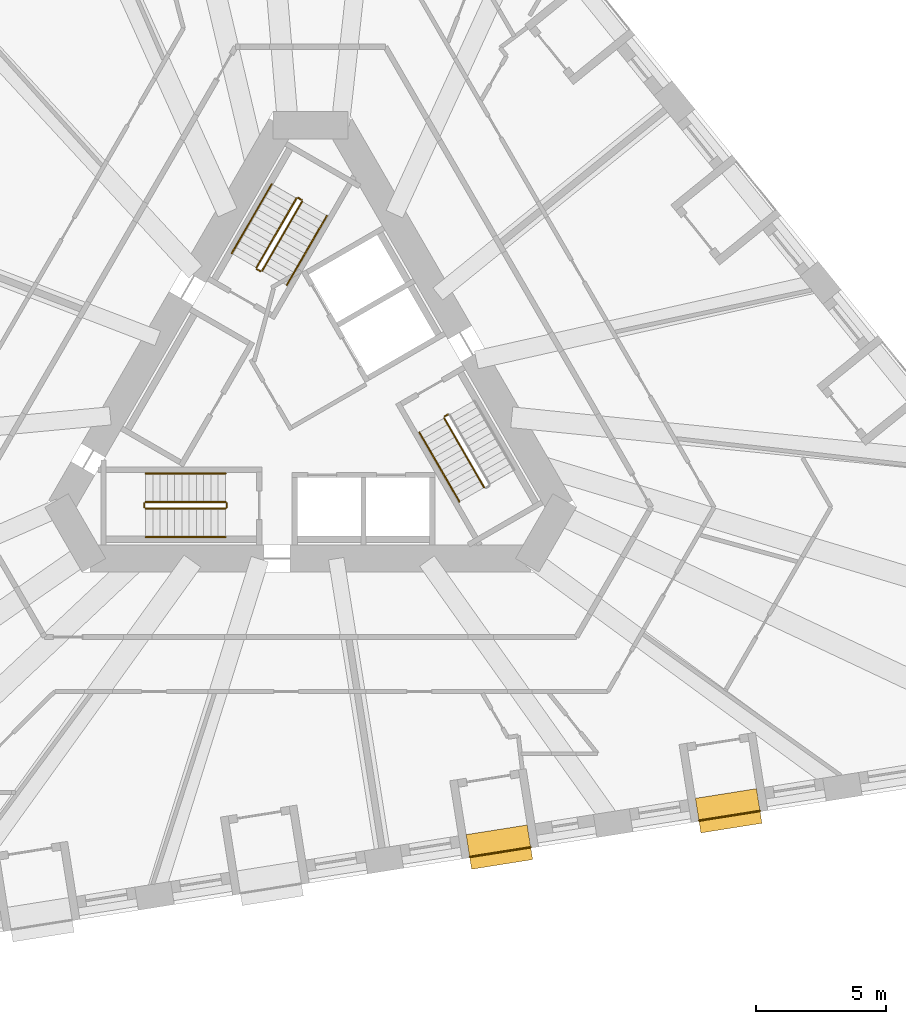
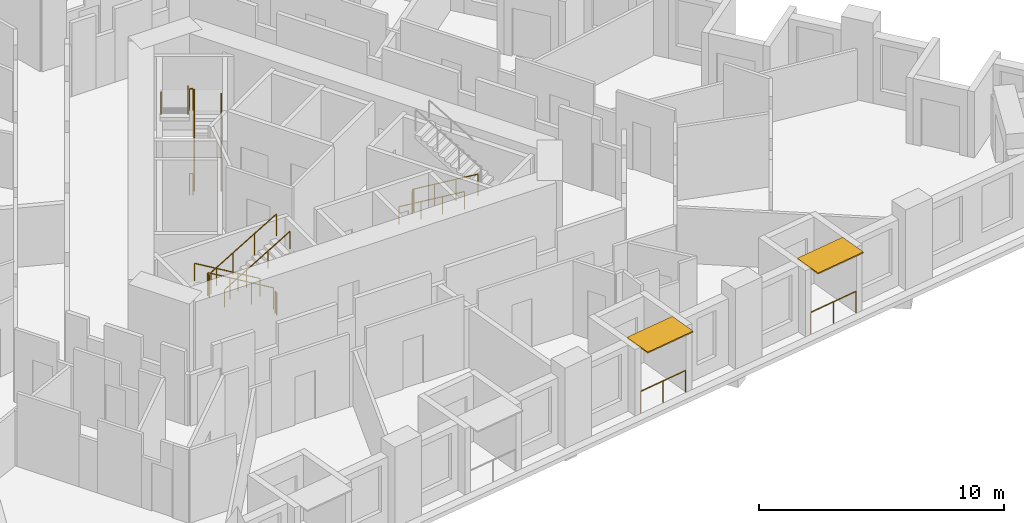
# One storey, part 12 of 14: 17 railings, 2 shading devices.
"""IFC4 building model written with IfcOpenShell, lengths in metres."""

import ifcopenshell
import ifcopenshell.guid

model = None  # the IFC model being written
_history = None  # IfcOwnerHistory: only IFC2X3 demands one
_inside = {}  # id of a spatial element -> (the spatial element, [elements in it])
_under = {}  # id of a project, library or spatial element -> (it, [spatial elements below it])
_declared = {}  # id of a project -> (the project, [libraries it declares])
_typed = {}  # id of a type object -> (the type object, [elements of that type])
_made_of = {}  # id of a material, layer set ... -> (it, [elements and type objects made of it])


def new_model(schema):
    """Start an empty IFC model of exactly this schema.

    Asked for "IFC4X3", IfcOpenShell would pick the latest addendum, in which some entities
    have other attributes; the version numbers below select the first issue.
    IFC2X3 requires an IfcOwnerHistory on every rooted entity: one is made here for all.
    """
    global model, _history
    if schema == "IFC4X3":
        model = ifcopenshell.file(schema_version=(4, 3, 0, 0))
    else:
        model = ifcopenshell.file(schema=schema)
    _inside.clear()
    _under.clear()
    _declared.clear()
    _typed.clear()
    _made_of.clear()
    _history = None
    if model.schema == "IFC2X3":
        org = make("IfcOrganization", Name="unknown")
        user = make(
            "IfcPersonAndOrganization",
            ThePerson=make("IfcPerson", FamilyName="unknown"),
            TheOrganization=org,
        )
        app = make(
            "IfcApplication",
            ApplicationDeveloper=org,
            Version="unknown",
            ApplicationFullName="unknown",
            ApplicationIdentifier="unknown",
        )
        _history = make(
            "IfcOwnerHistory",
            OwningUser=user,
            OwningApplication=app,
            ChangeAction="ADDED",
            CreationDate=0,
        )
    return model


def make(cls, **values):
    """One entity of the class cls with the attributes given. An attribute that is None is left unset."""
    return model.create_entity(
        cls, **{name: value for name, value in values.items() if value is not None}
    )


def rooted(cls, **values):
    """An entity with a GlobalId (a new one), such as an element, a storey or a relation."""
    return make(cls, GlobalId=ifcopenshell.guid.new(), OwnerHistory=_history, **values)


def si_unit(unit_type, name, prefix=None):
    """IfcSIUnit, for example si_unit("LENGTHUNIT", "METRE", prefix="MILLI")."""
    return make("IfcSIUnit", UnitType=unit_type, Prefix=prefix, Name=name)


def assignment(units):
    """IfcUnitAssignment: the units of a project."""
    return None if units is None else make("IfcUnitAssignment", Units=units)


def point(xyz):
    """IfcCartesianPoint."""
    return None if xyz is None else make("IfcCartesianPoint", Coordinates=xyz)


def direction(xyz):
    """IfcDirection."""
    return None if xyz is None else make("IfcDirection", DirectionRatios=xyz)


def frame(location, z_axis=None, x_axis=None):
    """IfcAxis2Placement3D, a coordinate frame: its origin and axes. An axis left out is left unset."""
    return make(
        "IfcAxis2Placement3D",
        Location=point(location),
        Axis=direction(z_axis),
        RefDirection=direction(x_axis),
    )


def frame_2d(location, x_axis=None):
    """IfcAxis2Placement2D, a coordinate frame in the plane: its origin and x axis."""
    return make(
        "IfcAxis2Placement2D", Location=point(location), RefDirection=direction(x_axis)
    )


def origin():
    """The frame at (0, 0, 0) with its axes left unset."""
    return frame((0.0, 0.0, 0.0))


def origin_2d():
    """The frame at (0, 0) in the plane with its x axis left unset."""
    return frame_2d((0.0, 0.0))


def place(relative_to, where):
    """IfcLocalPlacement: puts the frame where relative to a parent placement (None: the world)."""
    return make(
        "IfcLocalPlacement", PlacementRelTo=relative_to, RelativePlacement=where
    )


def context(
    kind, dimensions, precision=None, world=None, true_north=None, identifier=None
):
    """IfcGeometricRepresentationContext, for example the 3D "Model" context."""
    return make(
        "IfcGeometricRepresentationContext",
        ContextIdentifier=identifier,
        ContextType=kind,
        CoordinateSpaceDimension=dimensions,
        Precision=precision,
        WorldCoordinateSystem=world,
        TrueNorth=true_north,
    )


def subcontext(parent, identifier, kind, view, scale=None):
    """IfcGeometricRepresentationSubContext, for example "Body" below "Model"."""
    return make(
        "IfcGeometricRepresentationSubContext",
        ContextIdentifier=identifier,
        ContextType=kind,
        ParentContext=parent,
        TargetScale=scale,
        TargetView=view,
    )


def project(units=None, contexts=None):
    """IfcProject with its units and contexts."""
    return rooted(
        "IfcProject",
        Name="project",
        RepresentationContexts=contexts,
        UnitsInContext=assignment(units),
    )


def spatial(cls, under=None, at=None, **own):
    """A site, building, storey or space (cls), placed at a placement, below another one or the project."""
    s = rooted(cls, ObjectPlacement=at, **own)
    if under is not None:
        _under.setdefault(under.id(), (under, []))[1].append(s)
    return s


def profile(cls, at=None, kind="AREA", **sizes):
    """A parametric profile (cls). Its sizes go by their IFC names, for example OverallWidth=200.0."""
    return make(cls, ProfileType=kind, Position=at, **sizes)


def rectangle(**sizes):
    """IfcRectangleProfileDef."""
    return profile("IfcRectangleProfileDef", **sizes)


def circle(**sizes):
    """IfcCircleProfileDef."""
    return profile("IfcCircleProfileDef", **sizes)


def extrude(swept, where, along, depth):
    """IfcExtrudedAreaSolid: the profile swept, set in the frame where, extruded along a direction by depth."""
    return make(
        "IfcExtrudedAreaSolid",
        SweptArea=swept,
        Position=where,
        ExtrudedDirection=direction(along),
        Depth=depth,
    )


def shape(context_of_items, identifier, shape_type, items):
    """IfcShapeRepresentation: the items that make up one representation, for example the "Body"."""
    return make(
        "IfcShapeRepresentation",
        ContextOfItems=context_of_items,
        RepresentationIdentifier=identifier,
        RepresentationType=shape_type,
        Items=items,
    )


def material(Name=None, Category=None):
    """IfcMaterial."""
    return make("IfcMaterial", Name=Name, Category=Category)


def layer(
    of_material, thickness, ventilated=None, Name=None, Category=None, Priority=None
):
    """IfcMaterialLayer: one layer of a wall or slab, of a material (None: an air gap)."""
    return make(
        "IfcMaterialLayer",
        Material=of_material,
        LayerThickness=thickness,
        IsVentilated=ventilated,
        Name=Name,
        Category=Category,
        Priority=Priority,
    )


def layer_set(layers, Name=None):
    """IfcMaterialLayerSet."""
    return make("IfcMaterialLayerSet", MaterialLayers=layers, LayerSetName=Name)


def made_of(thing, what):
    """Note that an element or type object is made of a material, layer set ...; save() writes the relation."""
    if what is not None:
        _made_of.setdefault(what.id(), (what, []))[1].append(thing)
    return thing


def type_object(cls, material=None, **own):
    """A type object (cls), such as IfcWallType, which elements share."""
    return made_of(rooted(cls, **own), material)


def element(
    cls,
    number,
    at=None,
    inside=None,
    cuts=None,
    type_object=None,
    material=None,
    context=None,
    identifier="Body",
    shape_type=None,
    held_by="IfcProductDefinitionShape",
    body=None,
    shapes=None,
    **own,
):
    """One element of the class cls, such as IfcWall. Its Tag is "e" and its number.

    at: its placement. inside: the storey or other place that contains it. cuts: it is an
    opening in that element (IfcRelVoidsElement). A single representation is given by context,
    identifier, shape_type and body (its items); several are given by shapes. held_by: the class
    of the entity that holds the representations. save() writes the other relations.
    """
    e = rooted(cls, Tag="e%d" % number, ObjectPlacement=at, **own)
    if body is not None:
        shapes = [shape(context, identifier, shape_type, body)]
    if shapes is not None:
        e.Representation = make(held_by, Representations=shapes)
    if inside is not None:
        _inside.setdefault(inside.id(), (inside, []))[1].append(e)
    if cuts is not None:
        rooted(
            "IfcRelVoidsElement", RelatingBuildingElement=cuts, RelatedOpeningElement=e
        )
    if type_object is not None:
        _typed.setdefault(type_object.id(), (type_object, []))[1].append(e)
    return made_of(e, material)


def aggregate(whole, parts):
    """IfcRelAggregates: a whole, such as a stair, and the parts it consists of."""
    return rooted("IfcRelAggregates", RelatingObject=whole, RelatedObjects=parts)


def save(model, path):
    """Write the relations noted so far, then the file.

    IfcRelAggregates (storeys below a building ...), IfcRelContainedInSpatialStructure (elements
    in a storey), IfcRelDefinesByType, IfcRelAssociatesMaterial and IfcRelDeclares: one each for
    every whole, place, type object, material and project.
    """
    for whole, parts in _under.values():
        aggregate(whole, parts)
    for where, things in _inside.values():
        rooted(
            "IfcRelContainedInSpatialStructure",
            RelatedElements=things,
            RelatingStructure=where,
        )
    for kind, things in _typed.values():
        rooted("IfcRelDefinesByType", RelatedObjects=things, RelatingType=kind)
    for what, things in _made_of.values():
        rooted("IfcRelAssociatesMaterial", RelatedObjects=things, RelatingMaterial=what)
    for by, libraries in _declared.values():
        rooted("IfcRelDeclares", RelatingContext=by, RelatedDefinitions=libraries)
    model.write(path)


model = new_model("IFC4")

# Units and contexts
model_context = context("Model", 3, precision=1e-05, world=origin(), true_north=direction((0.0, 1.0)))
body_context = subcontext(model_context, "Body", "Model", "MODEL_VIEW")
ifc_project = project(units=[si_unit("LENGTHUNIT", "METRE"), si_unit("AREAUNIT", "SQUARE_METRE"), si_unit("VOLUMEUNIT", "CUBIC_METRE"), si_unit("PLANEANGLEUNIT", "RADIAN"), si_unit("MASSUNIT", "GRAM", prefix="KILO")], contexts=[model_context])

# Site, building, storey
site_placement = place(None, origin())
site = spatial("IfcSite", under=ifc_project, at=site_placement, CompositionType="ELEMENT")
building_placement = place(site_placement, origin())
building = spatial("IfcBuilding", under=site, at=building_placement, Name="Tramontana Tower", CompositionType="ELEMENT")
storey_placement = place(building_placement, frame((0.0, 0.0, 55.199951171875)))
storey = spatial("IfcBuildingStorey", under=building, at=storey_placement, Name="L11", CompositionType="ELEMENT", Elevation=55.199951171875)

# Railings
ifc_material_1 = material(Name="Laminated glass balustrade", Category="glass")
railing_type_1 = type_object("IfcRailingType", Name="GD1 Loggia glass balustrade 1100", PredefinedType="BALUSTRADE", material=ifc_material_1)
railing_1_placement = place(storey_placement, frame((6.1318359375, -17.72900390625, 0.0)))
element("IfcRailing", 1, at=railing_1_placement, inside=storey, type_object=railing_type_1, Name="Loggia balustrade L11 G1S1.10", PredefinedType="BALUSTRADE", context=body_context, shape_type="SweptSolid", body=[
    extrude(circle(Radius=0.02392578125, at=origin_2d()), frame((0.0, 0.0, 1.076171875), z_axis=(0.987688093492, 0.15643602518, 0.0), x_axis=(-0.15643602518, 0.987688093492, 0.0)), (0.0, 0.0, 1.0), 2.383056640625),
    extrude(circle(Radius=0.02099609375, at=origin_2d()), origin(), (0.0, 0.0, 1.0), 1.052001953125),
    extrude(circle(Radius=0.02099609375, at=origin_2d()), frame((1.1767578125, 0.1865234375, 0.0)), (0.0, 0.0, 1.0), 1.052001953125),
    extrude(circle(Radius=0.02099609375, at=origin_2d()), frame((2.353759765625, 0.372802734375, 0.0)), (0.0, 0.0, 1.0), 1.052001953125),
])
railing_2_placement = place(storey_placement, frame((14.970703125, -16.3291015625, 0.0)))
element("IfcRailing", 2, at=railing_2_placement, inside=storey, type_object=railing_type_1, Name="Loggia balustrade L11 G1S1.13", PredefinedType="BALUSTRADE", context=body_context, shape_type="SweptSolid", body=[
    extrude(circle(Radius=0.02392578125, at=origin_2d()), frame((0.0, 0.0, 1.076171875), z_axis=(0.987685586014, 0.156451855793, 0.0), x_axis=(-0.156451855793, 0.987685586014, 0.0)), (0.0, 0.0, 1.0), 2.3828125),
    extrude(circle(Radius=0.02099609375, at=origin_2d()), origin(), (0.0, 0.0, 1.0), 1.052001953125),
    extrude(circle(Radius=0.02099609375, at=origin_2d()), frame((1.1767578125, 0.1865234375, 0.0)), (0.0, 0.0, 1.0), 1.052001953125),
    extrude(circle(Radius=0.02099609375, at=origin_2d()), frame((2.353515625, 0.372802734375, 0.0)), (0.0, 0.0, 1.0), 1.052001953125),
])

# Shading devices
ifc_material_2 = material(Name="Precast concrete 60 MPa", Category="concrete")
ifc_layer = layer(ifc_material_2, 0.06005859375)
ifc_layer_set = layer_set([ifc_layer], Name="SS1 Stone sunshade blade 60")
shading_device_type = type_object("IfcShadingDeviceType", Name="SS1 Stone sunshade blade 60", PredefinedType="USERDEFINED", material=ifc_layer_set)
for number, where, z_axis, x_axis, name in (
    (3, (7.2783203125, -17.35009765625, 3.239990234375), (0.0, 0.0, 1.0), (0.987688340595, 0.15643446504, 0.0), "Sunshade L11 G1S1.10"),
    (4, (16.116943359375, -15.9501953125, 3.239990234375), (0.0, 0.0, 1.0), (0.987688340595, 0.15643446504, 0.0), "Sunshade L11 G1S1.13"),
):
    element("IfcShadingDevice", number, at=place(storey_placement, frame(where, z_axis=z_axis, x_axis=x_axis)), inside=storey, type_object=shading_device_type, Name=name, ObjectType="SUNSHADE", PredefinedType="USERDEFINED", context=body_context, shape_type="SweptSolid", body=[
        extrude(rectangle(XDim=2.383056640625, YDim=1.35009765625, at=origin_2d()), origin(), (0.0, 0.0, 1.0), 0.06005859375),
    ])

# Railings
ifc_material_3 = material(Name="Painted steel", Category="steel")
railing_type_2 = type_object("IfcRailingType", Name="STAIR GUARD 1100", PredefinedType="GUARDRAIL", material=ifc_material_3)
railing_3_placement = place(storey_placement, frame((-1.867431640625, 4.865478515625, 0.166748046875)))
element("IfcRailing", 5, at=railing_3_placement, inside=storey, type_object=railing_type_2, Name="L11 ST1 stair guard 1", PredefinedType="GUARDRAIL", context=body_context, shape_type="SweptSolid", body=[
    extrude(circle(Radius=0.02392578125, at=origin_2d()), frame((0.0, 0.0, 1.076171875), z_axis=(0.429649414936, 0.744189839504, 0.511451721109), x_axis=(-0.866029832698, 0.499992328818, 0.0)), (0.0, 0.0, 1.0), 3.58447265625),
    extrude(circle(Radius=0.02099609375, at=origin_2d()), origin(), (0.0, 0.0, 1.0), 1.052001953125),
    extrude(circle(Radius=0.02099609375, at=origin_2d()), frame((0.513427734375, 0.88916015625, 0.611083984375)), (0.0, 0.0, 1.0), 1.052001953125),
    extrude(circle(Radius=0.02099609375, at=origin_2d()), frame((1.026611328125, 1.7783203125, 1.22216796875)), (0.0, 0.0, 1.0), 1.052001953125),
    extrude(circle(Radius=0.02099609375, at=origin_2d()), frame((1.5400390625, 2.66748046875, 1.833251953125)), (0.0, 0.0, 1.0), 1.052001953125),
])
railing_4_placement = place(storey_placement, frame((-0.5439453125, 7.657958984375, 2.166748046875)))
element("IfcRailing", 6, at=railing_4_placement, inside=storey, type_object=railing_type_2, Name="L11 ST1 stair guard 2", PredefinedType="GUARDRAIL", context=body_context, shape_type="SweptSolid", body=[
    extrude(circle(Radius=0.02392578125, at=origin_2d()), frame((0.0, 0.0, 1.076171875), z_axis=(-0.429649414936, -0.744189839504, 0.511451721109), x_axis=(0.866029832698, -0.499992328818, 0.0)), (0.0, 0.0, 1.0), 3.58447265625),
    extrude(circle(Radius=0.02099609375, at=origin_2d()), origin(), (0.0, 0.0, 1.0), 1.052001953125),
    extrude(circle(Radius=0.02099609375, at=origin_2d()), frame((-0.513427734375, -0.88916015625, 0.611083984375)), (0.0, 0.0, 1.0), 1.052001953125),
    extrude(circle(Radius=0.02099609375, at=origin_2d()), frame((-1.026611328125, -1.7783203125, 1.22216796875)), (0.0, 0.0, 1.0), 1.052001953125),
    extrude(circle(Radius=0.02099609375, at=origin_2d()), frame((-1.5400390625, -2.66748046875, 1.833251953125)), (0.0, 0.0, 1.0), 1.052001953125),
])
railing_5_placement = place(storey_placement, frame((-0.345703125, 7.601318359375, 2.0)))
element("IfcRailing", 7, at=railing_5_placement, inside=storey, type_object=railing_type_2, Name="L11 ST1 stair guard 3", PredefinedType="GUARDRAIL", context=body_context, shape_type="SweptSolid", body=[
    extrude(circle(Radius=0.02392578125, at=origin_2d()), frame((0.0, 0.0, 1.076171875), z_axis=(-0.866131372301, 0.499816412211, 0.0), x_axis=(-0.499816412211, -0.866131372301, 0.0)), (0.0, 0.0, 1.0), 0.14990234375),
    extrude(circle(Radius=0.02099609375, at=origin_2d()), origin(), (0.0, 0.0, 1.0), 1.052001953125),
    extrude(circle(Radius=0.02099609375, at=origin_2d()), frame((-0.1298828125, 0.074951171875, 0.0)), (0.0, 0.0, 1.0), 1.052001953125),
])
railing_6_placement = place(storey_placement, frame((-1.935791015625, 4.84716796875, 0.0)))
element("IfcRailing", 8, at=railing_6_placement, inside=storey, type_object=railing_type_2, Name="L11 ST1 stair guard 4", PredefinedType="GUARDRAIL", context=body_context, shape_type="SweptSolid", body=[
    extrude(circle(Radius=0.02392578125, at=origin_2d()), frame((0.0, 0.0, 1.076171875), z_axis=(-0.865426285481, 0.501036270542, 0.0), x_axis=(-0.501036270542, -0.865426285481, 0.0)), (0.0, 0.0, 1.0), 0.150146484375),
    extrude(circle(Radius=0.02099609375, at=origin_2d()), origin(), (0.0, 0.0, 1.0), 1.052001953125),
    extrude(circle(Radius=0.02099609375, at=origin_2d()), frame((-0.1298828125, 0.0751953125, 0.0)), (0.0, 0.0, 1.0), 1.052001953125),
])
railing_7_placement = place(storey_placement, frame((-3.280029296875, -4.050048828125, 0.166748046875)))
element("IfcRailing", 9, at=railing_7_placement, inside=storey, type_object=railing_type_2, Name="L11 ST2 stair guard 1", PredefinedType="GUARDRAIL", context=body_context, shape_type="SweptSolid", body=[
    extrude(circle(Radius=0.02392578125, at=origin_2d()), frame((0.0, 0.0, 1.076171875), z_axis=(-0.859308565015, 0.0, 0.511457515432), x_axis=(0.0, -1.0, 0.0)), (0.0, 0.0, 1.0), 3.58447265625),
    extrude(circle(Radius=0.02099609375, at=origin_2d()), origin(), (0.0, 0.0, 1.0), 1.052001953125),
    extrude(circle(Radius=0.02099609375, at=origin_2d()), frame((-1.026611328125, 0.0, 0.611083984375)), (0.0, 0.0, 1.0), 1.052001953125),
    extrude(circle(Radius=0.02099609375, at=origin_2d()), frame((-2.053466796875, 0.0, 1.22216796875)), (0.0, 0.0, 1.0), 1.052001953125),
    extrude(circle(Radius=0.02099609375, at=origin_2d()), frame((-3.080078125, 0.0, 1.833251953125)), (0.0, 0.0, 1.0), 1.052001953125),
])
railing_8_placement = place(storey_placement, frame((-6.360107421875, -4.300048828125, 2.166748046875)))
element("IfcRailing", 10, at=railing_8_placement, inside=storey, type_object=railing_type_2, Name="L11 ST2 stair guard 2", PredefinedType="GUARDRAIL", context=body_context, shape_type="SweptSolid", body=[
    extrude(circle(Radius=0.02392578125, at=origin_2d()), frame((0.0, 0.0, 1.076171875), z_axis=(0.859308565015, 0.0, 0.511457515432), x_axis=(0.0, 1.0, 0.0)), (0.0, 0.0, 1.0), 3.58447265625),
    extrude(circle(Radius=0.02099609375, at=origin_2d()), origin(), (0.0, 0.0, 1.0), 1.052001953125),
    extrude(circle(Radius=0.02099609375, at=origin_2d()), frame((1.026611328125, 0.0, 0.611083984375)), (0.0, 0.0, 1.0), 1.052001953125),
    extrude(circle(Radius=0.02099609375, at=origin_2d()), frame((2.053466796875, 0.0, 1.22216796875)), (0.0, 0.0, 1.0), 1.052001953125),
    extrude(circle(Radius=0.02099609375, at=origin_2d()), frame((3.080078125, 0.0, 1.833251953125)), (0.0, 0.0, 1.0), 1.052001953125),
])
for number, where, name in (
    (11, (-6.409912109375, -4.10009765625, 2.0), "L11 ST2 stair guard 3"),
    (12, (-3.22998046875, -4.10009765625, 0.0), "L11 ST2 stair guard 4"),
):
    element("IfcRailing", number, at=place(storey_placement, frame(where)), inside=storey, type_object=railing_type_2, Name=name, PredefinedType="GUARDRAIL", context=body_context, shape_type="SweptSolid", body=[
        extrude(circle(Radius=0.02392578125, at=origin_2d()), frame((0.0, 0.0, 1.076171875), z_axis=(0.0, -1.0, 0.0), x_axis=(1.0, 0.0, 0.0)), (0.0, 0.0, 1.0), 0.14990234375),
        extrude(circle(Radius=0.02099609375, at=origin_2d()), origin(), (0.0, 0.0, 1.0), 1.052001953125),
        extrude(circle(Radius=0.02099609375, at=origin_2d()), frame((0.0, -0.14990234375, 0.0)), (0.0, 0.0, 1.0), 1.052001953125),
    ])
railing_9_placement = place(storey_placement, frame((5.1474609375, -0.815673828125, 0.166748046875)))
element("IfcRailing", 13, at=railing_9_placement, inside=storey, type_object=railing_type_2, Name="L11 ST3 stair guard 1", PredefinedType="GUARDRAIL", context=body_context, shape_type="SweptSolid", body=[
    extrude(circle(Radius=0.02392578125, at=origin_2d()), frame((0.0, 0.0, 1.076171875), z_axis=(0.429671193721, -0.744159446956, 0.511477646425), x_axis=(0.866010015463, 0.500026652407, 0.0)), (0.0, 0.0, 1.0), 3.584228515625),
    extrude(circle(Radius=0.02099609375, at=origin_2d()), origin(), (0.0, 0.0, 1.0), 1.052001953125),
    extrude(circle(Radius=0.02099609375, at=origin_2d()), frame((0.513427734375, -0.88916015625, 0.611083984375)), (0.0, 0.0, 1.0), 1.052001953125),
    extrude(circle(Radius=0.02099609375, at=origin_2d()), frame((1.026611328125, -1.778076171875, 1.22216796875)), (0.0, 0.0, 1.0), 1.052001953125),
    extrude(circle(Radius=0.02099609375, at=origin_2d()), frame((1.5400390625, -2.667236328125, 1.833251953125)), (0.0, 0.0, 1.0), 1.052001953125),
])
railing_10_placement = place(storey_placement, frame((5.165771484375, -0.747314453125, 0.0)))
element("IfcRailing", 14, at=railing_10_placement, inside=storey, type_object=railing_type_2, Name="L11 ST3 stair guard 4", PredefinedType="GUARDRAIL", context=body_context, shape_type="SweptSolid", body=[
    extrude(circle(Radius=0.02392578125, at=origin_2d()), frame((0.0, 0.0, 1.076171875), z_axis=(0.866131372301, 0.499816412211, 0.0), x_axis=(-0.499816412211, 0.866131372301, 0.0)), (0.0, 0.0, 1.0), 0.14990234375),
    extrude(circle(Radius=0.02099609375, at=origin_2d()), origin(), (0.0, 0.0, 1.0), 1.052001953125),
    extrude(circle(Radius=0.02099609375, at=origin_2d()), frame((0.1298828125, 0.074951171875, 0.0)), (0.0, 0.0, 1.0), 1.052001953125),
])
ifc_material_4 = material(Name="Painted steel", Category="steel")
railing_type_3 = type_object("IfcRailingType", Name="STAIR HANDRAIL 900", PredefinedType="HANDRAIL", material=ifc_material_4)
railing_11_placement = place(storey_placement, frame((-0.914794921875, 4.315673828125, 0.166748046875)))
element("IfcRailing", 15, at=railing_11_placement, inside=storey, type_object=railing_type_3, Name="L11 ST1 stair handrail 1", PredefinedType="HANDRAIL", context=body_context, shape_type="SweptSolid", body=[
    extrude(circle(Radius=0.02392578125, at=origin_2d()), frame((0.0, 0.0, 0.8759765625), z_axis=(0.429671193721, 0.744159446956, 0.511477646425), x_axis=(-0.866010015463, 0.500026652407, 0.0)), (0.0, 0.0, 1.0), 3.584228515625),
    extrude(circle(Radius=0.02099609375, at=origin_2d()), origin(), (0.0, 0.0, 1.0), 0.851806640625),
    extrude(circle(Radius=0.02099609375, at=origin_2d()), frame((0.513427734375, 0.88916015625, 0.611083984375)), (0.0, 0.0, 1.0), 0.851806640625),
    extrude(circle(Radius=0.02099609375, at=origin_2d()), frame((1.026611328125, 1.778076171875, 1.22216796875)), (0.0, 0.0, 1.0), 0.851806640625),
    extrude(circle(Radius=0.02099609375, at=origin_2d()), frame((1.5400390625, 2.667236328125, 1.833251953125)), (0.0, 0.0, 1.0), 0.851806640625),
])
railing_12_placement = place(storey_placement, frame((-1.49658203125, 8.2080078125, 2.166748046875)))
element("IfcRailing", 16, at=railing_12_placement, inside=storey, type_object=railing_type_3, Name="L11 ST1 stair handrail 2", PredefinedType="HANDRAIL", context=body_context, shape_type="SweptSolid", body=[
    extrude(circle(Radius=0.02392578125, at=origin_2d()), frame((0.0, 0.0, 0.8759765625), z_axis=(-0.429649414936, -0.744189839504, 0.511451721109), x_axis=(0.866029832698, -0.499992328818, 0.0)), (0.0, 0.0, 1.0), 3.58447265625),
    extrude(circle(Radius=0.02099609375, at=origin_2d()), origin(), (0.0, 0.0, 1.0), 0.851806640625),
    extrude(circle(Radius=0.02099609375, at=origin_2d()), frame((-0.513427734375, -0.88916015625, 0.611083984375)), (0.0, 0.0, 1.0), 0.851806640625),
    extrude(circle(Radius=0.02099609375, at=origin_2d()), frame((-1.026611328125, -1.7783203125, 1.22216796875)), (0.0, 0.0, 1.0), 0.851806640625),
    extrude(circle(Radius=0.02099609375, at=origin_2d()), frame((-1.5400390625, -2.66748046875, 1.833251953125)), (0.0, 0.0, 1.0), 0.851806640625),
])
railing_13_placement = place(storey_placement, frame((-3.280029296875, -2.949951171875, 0.166748046875)))
element("IfcRailing", 17, at=railing_13_placement, inside=storey, type_object=railing_type_3, Name="L11 ST2 stair handrail 1", PredefinedType="HANDRAIL", context=body_context, shape_type="SweptSolid", body=[
    extrude(circle(Radius=0.02392578125, at=origin_2d()), frame((0.0, 0.0, 0.8759765625), z_axis=(-0.859308565015, 0.0, 0.511457515432), x_axis=(0.0, -1.0, 0.0)), (0.0, 0.0, 1.0), 3.58447265625),
    extrude(circle(Radius=0.02099609375, at=origin_2d()), origin(), (0.0, 0.0, 1.0), 0.851806640625),
    extrude(circle(Radius=0.02099609375, at=origin_2d()), frame((-1.026611328125, 0.0, 0.611083984375)), (0.0, 0.0, 1.0), 0.851806640625),
    extrude(circle(Radius=0.02099609375, at=origin_2d()), frame((-2.053466796875, 0.0, 1.22216796875)), (0.0, 0.0, 1.0), 0.851806640625),
    extrude(circle(Radius=0.02099609375, at=origin_2d()), frame((-3.080078125, 0.0, 1.833251953125)), (0.0, 0.0, 1.0), 0.851806640625),
])
railing_14_placement = place(storey_placement, frame((-6.360107421875, -5.39990234375, 2.166748046875)))
element("IfcRailing", 18, at=railing_14_placement, inside=storey, type_object=railing_type_3, Name="L11 ST2 stair handrail 2", PredefinedType="HANDRAIL", context=body_context, shape_type="SweptSolid", body=[
    extrude(circle(Radius=0.02392578125, at=origin_2d()), frame((0.0, 0.0, 0.8759765625), z_axis=(0.859308565015, 0.0, 0.511457515432), x_axis=(0.0, 1.0, 0.0)), (0.0, 0.0, 1.0), 3.58447265625),
    extrude(circle(Radius=0.02099609375, at=origin_2d()), origin(), (0.0, 0.0, 1.0), 0.851806640625),
    extrude(circle(Radius=0.02099609375, at=origin_2d()), frame((1.026611328125, 0.0, 0.611083984375)), (0.0, 0.0, 1.0), 0.851806640625),
    extrude(circle(Radius=0.02099609375, at=origin_2d()), frame((2.053466796875, 0.0, 1.22216796875)), (0.0, 0.0, 1.0), 0.851806640625),
    extrude(circle(Radius=0.02099609375, at=origin_2d()), frame((3.080078125, 0.0, 1.833251953125)), (0.0, 0.0, 1.0), 0.851806640625),
])
railing_15_placement = place(storey_placement, frame((4.19482421875, -1.365478515625, 0.166748046875)))
element("IfcRailing", 19, at=railing_15_placement, inside=storey, type_object=railing_type_3, Name="L11 ST3 stair handrail 1", PredefinedType="HANDRAIL", context=body_context, shape_type="SweptSolid", body=[
    extrude(circle(Radius=0.02392578125, at=origin_2d()), frame((0.0, 0.0, 0.8759765625), z_axis=(0.429649414936, -0.744189839504, 0.511451721109), x_axis=(0.866029832698, 0.499992328818, 0.0)), (0.0, 0.0, 1.0), 3.58447265625),
    extrude(circle(Radius=0.02099609375, at=origin_2d()), origin(), (0.0, 0.0, 1.0), 0.851806640625),
    extrude(circle(Radius=0.02099609375, at=origin_2d()), frame((0.513427734375, -0.88916015625, 0.611083984375)), (0.0, 0.0, 1.0), 0.851806640625),
    extrude(circle(Radius=0.02099609375, at=origin_2d()), frame((1.026611328125, -1.7783203125, 1.22216796875)), (0.0, 0.0, 1.0), 0.851806640625),
    extrude(circle(Radius=0.02099609375, at=origin_2d()), frame((1.5400390625, -2.66748046875, 1.833251953125)), (0.0, 0.0, 1.0), 0.851806640625),
])

save(model, "model.ifc")
